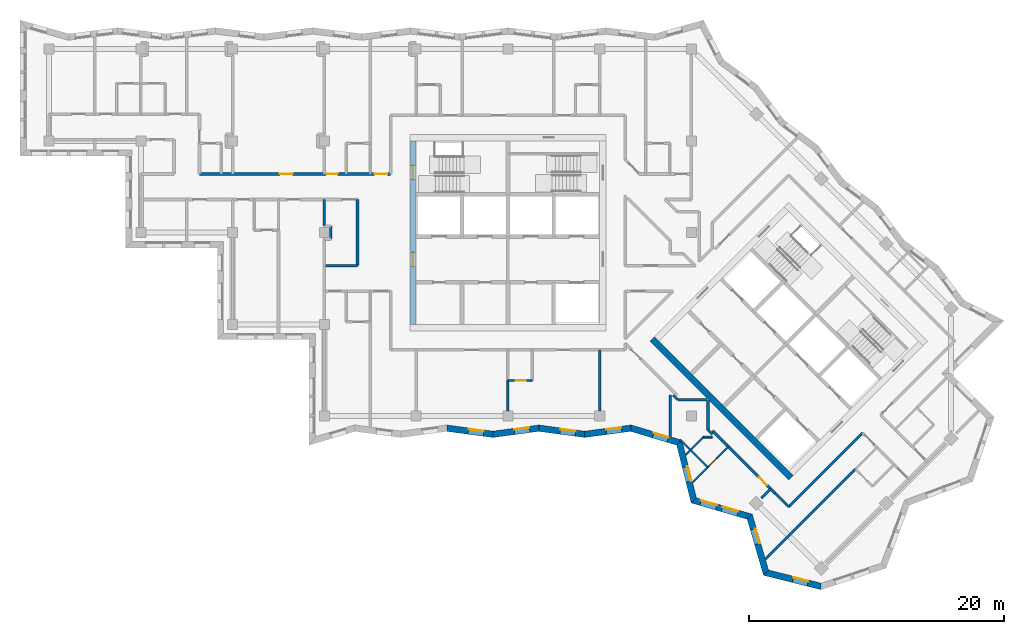
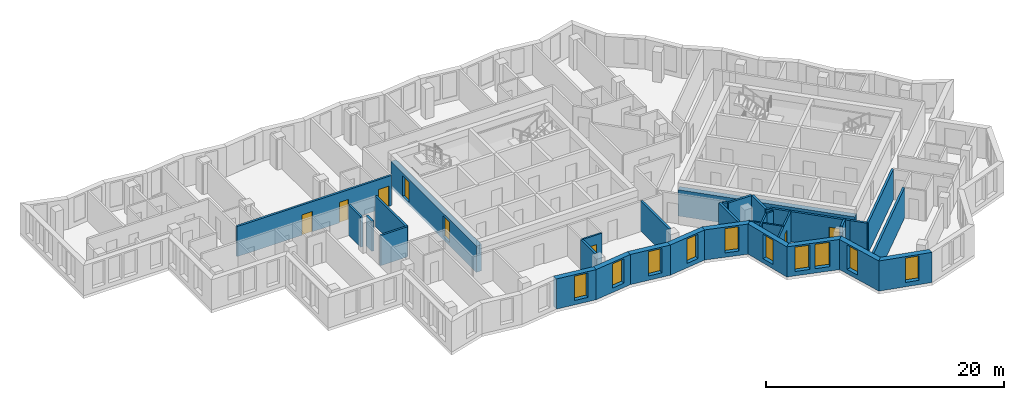
# One storey, part 3 of 12: 33 walls, 10 windows, 8 doors, 18 openings.
"""IFC4 building model written with IfcOpenShell, lengths in metres."""

from ifc_helpers import new_model, si_unit, direction, frame, frame_2d, origin, place, context, subcontext, project, spatial, polyline, rectangle, outline, extrude, material, layer, layer_set, type_object, element, fill, save


model = new_model("IFC4")

# Units and contexts
model_context = context("Model", 3, precision=1e-05, world=origin(), true_north=direction((0.0, 1.0)))
body_context = subcontext(model_context, "Body", "Model", "MODEL_VIEW")
ifc_project = project(units=[si_unit("LENGTHUNIT", "METRE"), si_unit("AREAUNIT", "SQUARE_METRE"), si_unit("VOLUMEUNIT", "CUBIC_METRE"), si_unit("PLANEANGLEUNIT", "RADIAN"), si_unit("MASSUNIT", "GRAM", prefix="KILO")], contexts=[model_context])

# Site, building, storey
site_placement = place(None, origin())
site = spatial("IfcSite", under=ifc_project, at=site_placement, CompositionType="ELEMENT")
building_placement = place(site_placement, origin())
building = spatial("IfcBuilding", under=site, at=building_placement, Name="Windrow Commons", CompositionType="ELEMENT")
storey_placement = place(building_placement, frame((0.0, 0.0, 210.0)))
storey = spatial("IfcBuildingStorey", under=building, at=storey_placement, Name="L57", CompositionType="ELEMENT", Elevation=210.0)

# Wall, opening, window
ifc_material_1 = material(Name="Brick masonry, red clay brick", Category="masonry")
ifc_layer_1 = layer(ifc_material_1, 0.5)
ifc_layer_set_1 = layer_set([ifc_layer_1], Name="Brick facade wall 500")
wall_type_1 = type_object("IfcWallType", Name="Brick facade wall 500", PredefinedType="SOLIDWALL", material=ifc_layer_set_1)
wall_1_placement = place(storey_placement, frame((60.0142, 42.2522, 0.0), z_axis=(0.0, 0.0, 1.0), x_axis=(0.991178361, -0.132534738, 0.0)))
wall_1 = element("IfcWall", 1, at=wall_1_placement, inside=storey, type_object=wall_type_1, Name="Brick facade wall L57 41", PredefinedType="SOLIDWALL", context=body_context, shape_type="SweptSolid", body=[
    extrude(outline(polyline([(0.0334, -0.25), (3.6702, -0.25), (3.6034, 0.25), (-0.0334, 0.25), (0.0334, -0.25)])), origin(), (0.0, 0.0, 1.0), 3.1),
])
opening_1_placement = place(wall_1_placement, frame((1.6999, 0.0, 0.45)))
opening_1 = element("IfcOpeningElement", 2, at=opening_1_placement, cuts=wall_1, Name="Opening W7E", PredefinedType="OPENING", context=body_context, shape_type="SweptSolid", body=[
    extrude(rectangle(XDim=1.2, YDim=2.5, at=frame_2d((0.6, 1.25))), frame((0.0, 0.26, 0.0), z_axis=(0.0, -1.0, 0.0), x_axis=(1.0, 0.0, 0.0)), (0.0, 0.0, 1.0), 0.52),
])
ifc_material_2 = material(Name="Clear float glass in anodised aluminium frame", Category="aluminium")
window_type_1 = type_object("IfcWindowType", Name="Window W7 notch 1200x2500", PartitioningType="SINGLE_PANEL", PredefinedType="WINDOW", material=ifc_material_2)
window_1_placement = place(opening_1_placement, origin())
window_1 = element("IfcWindow", 3, at=window_1_placement, inside=storey, type_object=window_type_1, Name="Window L57 41.1", OverallHeight=2.5, OverallWidth=1.2, PartitioningType="SINGLE_PANEL", PredefinedType="WINDOW", context=body_context, shape_type="SweptSolid", body=[
    extrude(rectangle(XDim=1.2, YDim=2.5, at=frame_2d((0.6, 1.25))), frame((0.0, 0.18, 0.0), z_axis=(0.0, -1.0, 0.0), x_axis=(1.0, 0.0, 0.0)), (0.0, 0.0, 1.0), 0.06),
])
fill(opening_1, window_1)

wall_2_placement = place(storey_placement, frame((63.6189, 41.7702, 0.0), z_axis=(0.0, 0.0, 1.0), x_axis=(0.9911788439, 0.1325311259, 0.0)))
wall_2 = element("IfcWall", 4, at=wall_2_placement, inside=storey, type_object=wall_type_1, Name="Brick facade wall L57 42", PredefinedType="SOLIDWALL", context=body_context, shape_type="SweptSolid", body=[
    extrude(outline(polyline([(-0.0334, -0.25), (3.6034, -0.25), (3.6702, 0.25), (0.0334, 0.25), (-0.0334, -0.25)])), origin(), (0.0, 0.0, 1.0), 3.1),
])
opening_2_placement = place(wall_2_placement, frame((1.7142, 0.0, 0.45)))
opening_2 = element("IfcOpeningElement", 5, at=opening_2_placement, cuts=wall_2, Name="Opening W7E", PredefinedType="OPENING", context=body_context, shape_type="SweptSolid", body=[
    extrude(rectangle(XDim=1.2, YDim=2.5, at=frame_2d((0.6, 1.25))), frame((0.0, 0.26, 0.0), z_axis=(0.0, -1.0, 0.0), x_axis=(1.0, 0.0, 0.0)), (0.0, 0.0, 1.0), 0.52),
])
window_2_placement = place(opening_2_placement, origin())
window_2 = element("IfcWindow", 6, at=window_2_placement, inside=storey, type_object=window_type_1, Name="Window L57 42.1", OverallHeight=2.5, OverallWidth=1.2, PartitioningType="SINGLE_PANEL", PredefinedType="WINDOW", context=body_context, shape_type="SweptSolid", body=[
    extrude(rectangle(XDim=1.2, YDim=2.5, at=frame_2d((0.6, 1.25))), frame((0.0, 0.18, 0.0), z_axis=(0.0, -1.0, 0.0), x_axis=(1.0, 0.0, 0.0)), (0.0, 0.0, 1.0), 0.06),
])
fill(opening_2, window_2)

wall_3_placement = place(storey_placement, frame((67.2237, 42.2522, 0.0), z_axis=(0.0, 0.0, 1.0), x_axis=(0.991178361, -0.132534738, 0.0)))
wall_3 = element("IfcWall", 7, at=wall_3_placement, inside=storey, type_object=wall_type_1, Name="Brick facade wall L57 43", PredefinedType="SOLIDWALL", context=body_context, shape_type="SweptSolid", body=[
    extrude(outline(polyline([(0.0334, -0.25), (3.6702, -0.25), (3.6034, 0.25), (-0.0334, 0.25), (0.0334, -0.25)])), origin(), (0.0, 0.0, 1.0), 3.1),
])
opening_3_placement = place(wall_3_placement, frame((1.6951, 0.0, 0.45)))
opening_3 = element("IfcOpeningElement", 8, at=opening_3_placement, cuts=wall_3, Name="Opening W7E", PredefinedType="OPENING", context=body_context, shape_type="SweptSolid", body=[
    extrude(rectangle(XDim=1.2, YDim=2.5, at=frame_2d((0.6, 1.25))), frame((0.0, 0.26, 0.0), z_axis=(0.0, -1.0, 0.0), x_axis=(1.0, 0.0, 0.0)), (0.0, 0.0, 1.0), 0.52),
])
window_3_placement = place(opening_3_placement, origin())
window_3 = element("IfcWindow", 9, at=window_3_placement, inside=storey, type_object=window_type_1, Name="Window L57 43.1", OverallHeight=2.5, OverallWidth=1.2, PartitioningType="SINGLE_PANEL", PredefinedType="WINDOW", context=body_context, shape_type="SweptSolid", body=[
    extrude(rectangle(XDim=1.2, YDim=2.5, at=frame_2d((0.6, 1.25))), frame((0.0, 0.18, 0.0), z_axis=(0.0, -1.0, 0.0), x_axis=(1.0, 0.0, 0.0)), (0.0, 0.0, 1.0), 0.06),
])
fill(opening_3, window_3)

wall_4_placement = place(storey_placement, frame((70.8284, 41.7702, 0.0), z_axis=(0.0, 0.0, 1.0), x_axis=(0.9911788782, 0.1325308696, 0.0)))
wall_4 = element("IfcWall", 10, at=wall_4_placement, inside=storey, type_object=wall_type_1, Name="Brick facade wall L57 44", PredefinedType="SOLIDWALL", context=body_context, shape_type="SweptSolid", body=[
    extrude(outline(polyline([(-0.0334, -0.25), (3.6034, -0.25), (3.7111, 0.25), (0.0334, 0.25), (-0.0334, -0.25)])), origin(), (0.0, 0.0, 1.0), 3.1),
])
opening_4_placement = place(wall_4_placement, frame((1.7196, 0.0, 0.45)))
opening_4 = element("IfcOpeningElement", 11, at=opening_4_placement, cuts=wall_4, Name="Opening W7E", PredefinedType="OPENING", context=body_context, shape_type="SweptSolid", body=[
    extrude(rectangle(XDim=1.2, YDim=2.5, at=frame_2d((0.6, 1.25))), frame((0.0, 0.26, 0.0), z_axis=(0.0, -1.0, 0.0), x_axis=(1.0, 0.0, 0.0)), (0.0, 0.0, 1.0), 0.52),
])
window_4_placement = place(opening_4_placement, origin())
window_4 = element("IfcWindow", 12, at=window_4_placement, inside=storey, type_object=window_type_1, Name="Window L57 44.1", OverallHeight=2.5, OverallWidth=1.2, PartitioningType="SINGLE_PANEL", PredefinedType="WINDOW", context=body_context, shape_type="SweptSolid", body=[
    extrude(rectangle(XDim=1.2, YDim=2.5, at=frame_2d((0.6, 1.25))), frame((0.0, 0.18, 0.0), z_axis=(0.0, -1.0, 0.0), x_axis=(1.0, 0.0, 0.0)), (0.0, 0.0, 1.0), 0.06),
])
fill(opening_4, window_4)

wall_5_placement = place(storey_placement, frame((74.4534, 42.2549, 0.0), z_axis=(0.0, 0.0, 1.0), x_axis=(0.9577859598, -0.2874822693, 0.0)))
wall_5 = element("IfcWall", 13, at=wall_5_placement, inside=storey, type_object=wall_type_1, Name="Brick facade wall L57 45", PredefinedType="SOLIDWALL", context=body_context, shape_type="SweptSolid", body=[
    extrude(outline(polyline([(0.0539, -0.25), (3.8175, -0.25), (4.1015, 0.25), (-0.0539, 0.25), (0.0539, -0.25)])), origin(), (0.0, 0.0, 1.0), 3.1),
])
opening_5_placement = place(wall_5_placement, frame((1.8283, 0.0, 0.45)))
opening_5 = element("IfcOpeningElement", 14, at=opening_5_placement, cuts=wall_5, Name="Opening W7E", PredefinedType="OPENING", context=body_context, shape_type="SweptSolid", body=[
    extrude(rectangle(XDim=1.2, YDim=2.5, at=frame_2d((0.6, 1.25))), frame((0.0, 0.26, 0.0), z_axis=(0.0, -1.0, 0.0), x_axis=(1.0, 0.0, 0.0)), (0.0, 0.0, 1.0), 0.52),
])
window_5_placement = place(opening_5_placement, origin())
window_5 = element("IfcWindow", 15, at=window_5_placement, inside=storey, type_object=window_type_1, Name="Window L57 45.1", OverallHeight=2.5, OverallWidth=1.2, PartitioningType="SINGLE_PANEL", PredefinedType="WINDOW", context=body_context, shape_type="SweptSolid", body=[
    extrude(rectangle(XDim=1.2, YDim=2.5, at=frame_2d((0.6, 1.25))), frame((0.0, 0.18, 0.0), z_axis=(0.0, -1.0, 0.0), x_axis=(1.0, 0.0, 0.0)), (0.0, 0.0, 1.0), 0.06),
])
fill(opening_5, window_5)

wall_6_placement = place(storey_placement, frame((78.2458, 41.1166, 0.0), z_axis=(0.0, 0.0, 1.0), x_axis=(0.2436885681, -0.9698535363, 0.0)))
wall_6 = element("IfcWall", 16, at=wall_6_placement, inside=storey, type_object=wall_type_1, Name="Brick facade wall L57 46", PredefinedType="SOLIDWALL", context=body_context, shape_type="SweptSolid", body=[
    extrude(outline(polyline([(0.142, -0.25), (4.8161, -0.25), (4.5295, 0.25), (-0.142, 0.25), (0.142, -0.25)])), origin(), (0.0, 0.0, 1.0), 3.1),
])
opening_6_placement = place(wall_6_placement, frame((1.9466, 0.0, 0.45)))
opening_6 = element("IfcOpeningElement", 17, at=opening_6_placement, cuts=wall_6, Name="Opening W7E", PredefinedType="OPENING", context=body_context, shape_type="SweptSolid", body=[
    extrude(rectangle(XDim=1.2, YDim=2.5, at=frame_2d((0.6, 1.25))), frame((0.0, 0.26, 0.0), z_axis=(0.0, -1.0, 0.0), x_axis=(1.0, 0.0, 0.0)), (0.0, 0.0, 1.0), 0.52),
])
window_6_placement = place(opening_6_placement, origin())
window_6 = element("IfcWindow", 18, at=window_6_placement, inside=storey, type_object=window_type_1, Name="Window L57 46.1", OverallHeight=2.5, OverallWidth=1.2, PartitioningType="SINGLE_PANEL", PredefinedType="WINDOW", context=body_context, shape_type="SweptSolid", body=[
    extrude(rectangle(XDim=1.2, YDim=2.5, at=frame_2d((0.6, 1.25))), frame((0.0, 0.18, 0.0), z_axis=(0.0, -1.0, 0.0), x_axis=(1.0, 0.0, 0.0)), (0.0, 0.0, 1.0), 0.06),
])
fill(opening_6, window_6)

# Wall, openings, windows
wall_7_placement = place(storey_placement, frame((79.3845, 36.5847, 0.0), z_axis=(0.0, 0.0, 1.0), x_axis=(0.960028924, -0.2799008129, 0.0)))
wall_7 = element("IfcWall", 19, at=wall_7_placement, inside=storey, type_object=wall_type_1, Name="Brick facade wall L57 47", PredefinedType="SOLIDWALL", context=body_context, shape_type="SweptSolid", body=[
    extrude(outline(polyline([(-0.1433, -0.25), (4.4313, -0.25), (4.7056, 0.25), (0.1433, 0.25), (-0.1433, -0.25)])), origin(), (0.0, 0.0, 1.0), 3.1),
])
opening_7_placement = place(wall_7_placement, frame((0.5505, 0.0, 0.45)))
opening_7 = element("IfcOpeningElement", 20, at=opening_7_placement, cuts=wall_7, Name="Opening W1Q", PredefinedType="OPENING", context=body_context, shape_type="SweptSolid", body=[
    extrude(rectangle(XDim=1.3, YDim=2.5, at=frame_2d((0.65, 1.25))), frame((0.0, 0.26, 0.0), z_axis=(0.0, -1.0, 0.0), x_axis=(1.0, 0.0, 0.0)), (0.0, 0.0, 1.0), 0.52),
])
opening_8_placement = place(wall_7_placement, frame((2.3005, 0.0, 0.45)))
opening_8 = element("IfcOpeningElement", 21, at=opening_8_placement, cuts=wall_7, Name="Opening W1Q", PredefinedType="OPENING", context=body_context, shape_type="SweptSolid", body=[
    extrude(rectangle(XDim=1.3, YDim=2.5, at=frame_2d((0.65, 1.25))), frame((0.0, 0.26, 0.0), z_axis=(0.0, -1.0, 0.0), x_axis=(1.0, 0.0, 0.0)), (0.0, 0.0, 1.0), 0.52),
])
ifc_material_3 = material(Name="Clear float glass in anodised aluminium frame", Category="aluminium")
window_type_2 = type_object("IfcWindowType", Name="Window W1Q pair 1300x2500", PartitioningType="SINGLE_PANEL", PredefinedType="WINDOW", material=ifc_material_3)
window_7_placement = place(opening_7_placement, origin())
window_7 = element("IfcWindow", 22, at=window_7_placement, inside=storey, type_object=window_type_2, Name="Window L57 47.1A", OverallHeight=2.5, OverallWidth=1.3, PartitioningType="SINGLE_PANEL", PredefinedType="WINDOW", context=body_context, shape_type="SweptSolid", body=[
    extrude(rectangle(XDim=1.3, YDim=2.5, at=frame_2d((0.65, 1.25))), frame((0.0, 0.18, 0.0), z_axis=(0.0, -1.0, 0.0), x_axis=(1.0, 0.0, 0.0)), (0.0, 0.0, 1.0), 0.06),
])
fill(opening_7, window_7)
window_8_placement = place(opening_8_placement, origin())
window_8 = element("IfcWindow", 23, at=window_8_placement, inside=storey, type_object=window_type_2, Name="Window L57 47.1B", OverallHeight=2.5, OverallWidth=1.3, PartitioningType="SINGLE_PANEL", PredefinedType="WINDOW", context=body_context, shape_type="SweptSolid", body=[
    extrude(rectangle(XDim=1.3, YDim=2.5, at=frame_2d((0.65, 1.25))), frame((0.0, 0.18, 0.0), z_axis=(0.0, -1.0, 0.0), x_axis=(1.0, 0.0, 0.0)), (0.0, 0.0, 1.0), 0.06),
])
fill(opening_8, window_8)

# Wall, opening, window
wall_8_placement = place(storey_placement, frame((83.7703, 35.306, 0.0), z_axis=(0.0, 0.0, 1.0), x_axis=(0.2799008129, -0.960028924, 0.0)))
wall_8 = element("IfcWall", 24, at=wall_8_placement, inside=storey, type_object=wall_type_1, Name="Brick facade wall L57 48", PredefinedType="SOLIDWALL", context=body_context, shape_type="SweptSolid", body=[
    extrude(outline(polyline([(0.1371, -0.25), (4.7117, -0.25), (4.4251, 0.25), (-0.1371, 0.25), (0.1371, -0.25)])), origin(), (0.0, 0.0, 1.0), 3.1),
])
opening_9_placement = place(wall_8_placement, frame((1.0135, 0.0, 0.45)))
opening_9 = element("IfcOpeningElement", 25, at=opening_9_placement, cuts=wall_8, Name="Opening W7E", PredefinedType="OPENING", context=body_context, shape_type="SweptSolid", body=[
    extrude(rectangle(XDim=1.2, YDim=2.5, at=frame_2d((0.6, 1.25))), frame((0.0, 0.26, 0.0), z_axis=(0.0, -1.0, 0.0), x_axis=(1.0, 0.0, 0.0)), (0.0, 0.0, 1.0), 0.52),
])
window_9_placement = place(opening_9_placement, origin())
window_9 = element("IfcWindow", 26, at=window_9_placement, inside=storey, type_object=window_type_1, Name="Window L57 48.1", OverallHeight=2.5, OverallWidth=1.2, PartitioningType="SINGLE_PANEL", PredefinedType="WINDOW", context=body_context, shape_type="SweptSolid", body=[
    extrude(rectangle(XDim=1.2, YDim=2.5, at=frame_2d((0.6, 1.25))), frame((0.0, 0.18, 0.0), z_axis=(0.0, -1.0, 0.0), x_axis=(1.0, 0.0, 0.0)), (0.0, 0.0, 1.0), 0.06),
])
fill(opening_9, window_9)

wall_9_placement = place(storey_placement, frame((85.049, 30.9202, 0.0), z_axis=(0.0, 0.0, 1.0), x_axis=(0.9698501821, -0.2437019169, 0.0)))
wall_9 = element("IfcWall", 27, at=wall_9_placement, inside=storey, type_object=wall_type_1, Name="Brick facade wall L57 49", PredefinedType="SOLIDWALL", context=body_context, shape_type="SweptSolid", body=[
    extrude(outline(polyline([(-0.1433, -0.25), (4.5308, -0.25), (4.3849, 0.25), (0.1433, 0.25), (-0.1433, -0.25)])), origin(), (0.0, 0.0, 1.0), 3.1),
])
opening_10_placement = place(wall_9_placement, frame((2.1889, 0.0, 0.45)))
opening_10 = element("IfcOpeningElement", 28, at=opening_10_placement, cuts=wall_9, Name="Opening W7E", PredefinedType="OPENING", context=body_context, shape_type="SweptSolid", body=[
    extrude(rectangle(XDim=1.2, YDim=2.5, at=frame_2d((0.6, 1.25))), frame((0.0, 0.26, 0.0), z_axis=(0.0, -1.0, 0.0), x_axis=(1.0, 0.0, 0.0)), (0.0, 0.0, 1.0), 0.52),
])
window_10_placement = place(opening_10_placement, origin())
window_10 = element("IfcWindow", 29, at=window_10_placement, inside=storey, type_object=window_type_1, Name="Window L57 49.1", OverallHeight=2.5, OverallWidth=1.2, PartitioningType="SINGLE_PANEL", PredefinedType="WINDOW", context=body_context, shape_type="SweptSolid", body=[
    extrude(rectangle(XDim=1.2, YDim=2.5, at=frame_2d((0.6, 1.25))), frame((0.0, 0.18, 0.0), z_axis=(0.0, -1.0, 0.0), x_axis=(1.0, 0.0, 0.0)), (0.0, 0.0, 1.0), 0.06),
])
fill(opening_10, window_10)

# Wall, openings, doors
ifc_material_4 = material(Name="Blockwork partition", Category="masonry")
ifc_layer_2 = layer(ifc_material_4, 0.2)
ifc_layer_set_2 = layer_set([ifc_layer_2], Name="IW-CORRIDOR-200")
wall_type_2 = type_object("IfcWallType", Name="IW-CORRIDOR-200", PredefinedType="PARTITIONING", material=ifc_layer_set_2)
wall_10_placement = place(storey_placement, frame((40.602, 62.2, 0.0), z_axis=(0.0, 0.0, 1.0), x_axis=(1.0, 0.0, 0.0)))
wall_10 = element("IfcWall", 30, at=wall_10_placement, inside=storey, type_object=wall_type_2, Name="W-L57-W003", PredefinedType="PARTITIONING", context=body_context, shape_type="SweptSolid", body=[
    extrude(rectangle(XDim=14.998, YDim=0.2, at=frame_2d((7.499, 0.0))), origin(), (0.0, 0.0, 1.0), 3.1),
])
opening_11_placement = place(wall_10_placement, frame((6.308, 0.0, 0.0)))
opening_11 = element("IfcOpeningElement", 31, at=opening_11_placement, cuts=wall_10, Name="Opening D310F", PredefinedType="OPENING", context=body_context, shape_type="SweptSolid", body=[
    extrude(rectangle(XDim=1.0, YDim=2.1, at=frame_2d((0.5, 1.05))), frame((0.0, 0.11, 0.0), z_axis=(0.0, -1.0, 0.0), x_axis=(1.0, 0.0, 0.0)), (0.0, 0.0, 1.0), 0.22),
])
opening_12_placement = place(wall_10_placement, frame((9.928, 0.0, 0.0)))
opening_12 = element("IfcOpeningElement", 32, at=opening_12_placement, cuts=wall_10, Name="Opening D109S", PredefinedType="OPENING", context=body_context, shape_type="SweptSolid", body=[
    extrude(rectangle(XDim=0.9, YDim=2.1, at=frame_2d((0.45, 1.05))), frame((0.0, 0.11, 0.0), z_axis=(0.0, -1.0, 0.0), x_axis=(1.0, 0.0, 0.0)), (0.0, 0.0, 1.0), 0.22),
])
opening_13_placement = place(wall_10_placement, frame((13.7456, 0.0, 0.0)))
opening_13 = element("IfcOpeningElement", 33, at=opening_13_placement, cuts=wall_10, Name="Opening D310F", PredefinedType="OPENING", context=body_context, shape_type="SweptSolid", body=[
    extrude(rectangle(XDim=1.0, YDim=2.1, at=frame_2d((0.5, 1.05))), frame((0.0, 0.11, 0.0), z_axis=(0.0, -1.0, 0.0), x_axis=(1.0, 0.0, 0.0)), (0.0, 0.0, 1.0), 0.22),
])
ifc_material_5 = material(Name="Timber door leaf", Category="wood")
door_type_1 = type_object("IfcDoorType", Name="DT-AMENITY-1000", OperationType="SINGLE_SWING_LEFT", PredefinedType="DOOR", material=ifc_material_5)
door_1_placement = place(opening_11_placement, origin())
door_1 = element("IfcDoor", 34, at=door_1_placement, inside=storey, type_object=door_type_1, Name="D-L57-D018", OperationType="SINGLE_SWING_RIGHT", OverallHeight=2.1, OverallWidth=1.0, PredefinedType="DOOR", context=body_context, shape_type="SweptSolid", body=[
    extrude(rectangle(XDim=1.0, YDim=2.1, at=frame_2d((0.5, 1.05))), frame((0.0, 0.025, 0.0), z_axis=(0.0, -1.0, 0.0), x_axis=(1.0, 0.0, 0.0)), (0.0, 0.0, 1.0), 0.05),
])
fill(opening_11, door_1)
door_2_placement = place(opening_13_placement, origin())
door_2 = element("IfcDoor", 35, at=door_2_placement, inside=storey, type_object=door_type_1, Name="D-L57-D021", OperationType="SINGLE_SWING_LEFT", OverallHeight=2.1, OverallWidth=1.0, PredefinedType="DOOR", context=body_context, shape_type="SweptSolid", body=[
    extrude(rectangle(XDim=1.0, YDim=2.1, at=frame_2d((0.5, 1.05))), frame((0.0, 0.025, 0.0), z_axis=(0.0, -1.0, 0.0), x_axis=(1.0, 0.0, 0.0)), (0.0, 0.0, 1.0), 0.05),
])
fill(opening_13, door_2)
ifc_material_6 = material(Name="Timber door leaf", Category="wood")
door_type_2 = type_object("IfcDoorType", Name="DT-BEDROOM-900", OperationType="SINGLE_SWING_LEFT", PredefinedType="DOOR", material=ifc_material_6)
door_3_placement = place(opening_12_placement, origin())
door_3 = element("IfcDoor", 36, at=door_3_placement, inside=storey, type_object=door_type_2, Name="D-L57-D019", OperationType="SINGLE_SWING_RIGHT", OverallHeight=2.1, OverallWidth=0.9, PredefinedType="DOOR", context=body_context, shape_type="SweptSolid", body=[
    extrude(rectangle(XDim=0.9, YDim=2.1, at=frame_2d((0.45, 1.05))), frame((0.0, 0.025, 0.0), z_axis=(0.0, -1.0, 0.0), x_axis=(1.0, 0.0, 0.0)), (0.0, 0.0, 1.0), 0.05),
])
fill(opening_12, door_3)

# Wall
wall_11_placement = place(storey_placement, frame((86.8351, 36.0789, 0.0), z_axis=(0.0, 0.0, 1.0), x_axis=(0.7071067812, 0.7071067812, 0.0)))
element("IfcWall", 37, at=wall_11_placement, inside=storey, type_object=wall_type_2, Name="W-L57-W010", PredefinedType="PARTITIONING", context=body_context, shape_type="SweptSolid", body=[
    extrude(rectangle(XDim=8.1996, YDim=0.2, at=frame_2d((4.0998, 0.0))), origin(), (0.0, 0.0, 1.0), 3.1),
])

# Wall, opening, door
wall_12_placement = place(storey_placement, frame((80.8487, 42.0607, 0.0), z_axis=(0.0, 0.0, 1.0), x_axis=(0.7071067812, -0.7071067812, 0.0)))
wall_12 = element("IfcWall", 38, at=wall_12_placement, inside=storey, type_object=wall_type_2, Name="W-L57-W015", PredefinedType="PARTITIONING", context=body_context, shape_type="SweptSolid", body=[
    extrude(rectangle(XDim=6.9636, YDim=0.2, at=frame_2d((3.4818, 0.0))), origin(), (0.0, 0.0, 1.0), 3.1),
])
opening_14_placement = place(wall_12_placement, frame((5.1589, 0.0, 0.0)))
opening_14 = element("IfcOpeningElement", 39, at=opening_14_placement, cuts=wall_12, Name="Opening D109S", PredefinedType="OPENING", context=body_context, shape_type="SweptSolid", body=[
    extrude(rectangle(XDim=0.9, YDim=2.1, at=frame_2d((0.45, 1.05))), frame((0.0, 0.11, 0.0), z_axis=(0.0, -1.0, 0.0), x_axis=(1.0, 0.0, 0.0)), (0.0, 0.0, 1.0), 0.22),
])
door_4_placement = place(opening_14_placement, origin())
door_4 = element("IfcDoor", 40, at=door_4_placement, inside=storey, type_object=door_type_2, Name="D-L57-D039", OperationType="SINGLE_SWING_RIGHT", OverallHeight=2.1, OverallWidth=0.9, PredefinedType="DOOR", context=body_context, shape_type="SweptSolid", body=[
    extrude(rectangle(XDim=0.9, YDim=2.1, at=frame_2d((0.45, 1.05))), frame((0.0, 0.025, 0.0), z_axis=(0.0, -1.0, 0.0), x_axis=(1.0, 0.0, 0.0)), (0.0, 0.0, 1.0), 0.05),
])
fill(opening_14, door_4)

# Walls
wall_13_placement = place(storey_placement, frame((53.0, 55.002, 0.0), z_axis=(0.0, 0.0, 1.0), x_axis=(0.0, 1.0, 0.0)))
element("IfcWall", 41, at=wall_13_placement, inside=storey, type_object=wall_type_2, Name="W-L57-W035", PredefinedType="PARTITIONING", context=body_context, shape_type="SweptSolid", body=[
    extrude(rectangle(XDim=5.198, YDim=0.2, at=frame_2d((2.599, 0.0))), origin(), (0.0, 0.0, 1.0), 3.1),
])
wall_14_placement = place(storey_placement, frame((50.4, 55.0, 0.0), z_axis=(0.0, 0.0, 1.0), x_axis=(1.0, 0.0, 0.0)))
element("IfcWall", 42, at=wall_14_placement, inside=storey, type_object=wall_type_2, Name="W-L57-W056", PredefinedType="PARTITIONING", context=body_context, shape_type="SweptSolid", body=[
    extrude(rectangle(XDim=2.6, YDim=0.2, at=frame_2d((1.3, 0.0))), origin(), (0.0, 0.0, 1.0), 3.1),
])
for number, where, z_axis, x_axis, name in (
    (43, (78.132, 44.5, 0.0), (0.0, 0.0, 1.0), (1.0, 0.0, 0.0), "W-L57-W086"),
    (44, (80.5, 42.132, 0.0), (0.0, 0.0, 1.0), (0.0, 1.0, 0.0), "W-L57-W087"),
):
    element("IfcWall", number, at=place(storey_placement, frame(where, z_axis=z_axis, x_axis=x_axis)), inside=storey, type_object=wall_type_2, Name=name, PredefinedType="PARTITIONING", context=body_context, shape_type="SweptSolid", body=[
        extrude(rectangle(XDim=2.292, YDim=0.2, at=frame_2d((1.146, 0.0))), origin(), (0.0, 0.0, 1.0), 3.1),
    ])
wall_15_placement = place(storey_placement, frame((85.778, 37.142, 0.0), z_axis=(0.0, 0.0, 1.0), x_axis=(0.7064400143, -0.70777292, 0.0)))
element("IfcWall", 45, at=wall_15_placement, inside=storey, type_object=wall_type_2, Name="W-L57-W121", PredefinedType="PARTITIONING", context=body_context, shape_type="SweptSolid", body=[
    extrude(rectangle(XDim=1.5005, YDim=0.2, at=frame_2d((0.7502, 0.0))), origin(), (0.0, 0.0, 1.0), 3.1),
])
for number, where, z_axis, x_axis, name in (
    (46, (77.7792, 44.8472, 0.0), (0.0, 0.0, 1.0), (0.7071067812, -0.7071067812, 0.0), "W-L57-W155"),
    (47, (80.4972, 42.1292, 0.0), (0.0, 0.0, 1.0), (0.7071067812, -0.7071067812, 0.0), "W-L57-W156"),
):
    element("IfcWall", number, at=place(storey_placement, frame(where, z_axis=z_axis, x_axis=x_axis)), inside=storey, type_object=wall_type_2, Name=name, PredefinedType="PARTITIONING", context=body_context, shape_type="SweptSolid", body=[
        extrude(rectangle(XDim=0.495, YDim=0.2, at=frame_2d((0.2475, 0.0))), origin(), (0.0, 0.0, 1.0), 3.1),
    ])

# Wall, opening, door
ifc_material_7 = material(Name="Blockwork partition", Category="masonry")
ifc_layer_3 = layer(ifc_material_7, 0.15)
ifc_layer_set_3 = layer_set([ifc_layer_3], Name="IW-ENSUITE-150")
wall_type_3 = type_object("IfcWallType", Name="IW-ENSUITE-150", PredefinedType="PARTITIONING", material=ifc_layer_set_3)
wall_16_placement = place(storey_placement, frame((79.2855, 38.0046, 0.0), z_axis=(0.0, 0.0, 1.0), x_axis=(0.7070942078, 0.7071193543, 0.0)))
wall_16 = element("IfcWall", 48, at=wall_16_placement, inside=storey, type_object=wall_type_3, Name="W-L57-W043", PredefinedType="PARTITIONING", context=body_context, shape_type="SweptSolid", body=[
    extrude(rectangle(XDim=3.9767, YDim=0.15, at=frame_2d((1.9884, 0.0))), origin(), (0.0, 0.0, 1.0), 3.1),
])
opening_15_placement = place(wall_16_placement, frame((1.8362, 0.0, 0.0)))
opening_15 = element("IfcOpeningElement", 49, at=opening_15_placement, cuts=wall_16, Name="Opening D208N", PredefinedType="OPENING", context=body_context, shape_type="SweptSolid", body=[
    extrude(rectangle(XDim=0.8, YDim=2.1, at=frame_2d((0.4, 1.05))), frame((0.0, 0.085, 0.0), z_axis=(0.0, -1.0, 0.0), x_axis=(1.0, 0.0, 0.0)), (0.0, 0.0, 1.0), 0.17),
])
ifc_material_8 = material(Name="Timber door leaf", Category="wood")
door_type_3 = type_object("IfcDoorType", Name="DT-ENSUITE-800", OperationType="SINGLE_SWING_LEFT", PredefinedType="DOOR", material=ifc_material_8)
door_5_placement = place(opening_15_placement, origin())
door_5 = element("IfcDoor", 50, at=door_5_placement, inside=storey, type_object=door_type_3, Name="D-L57-D040", OperationType="SINGLE_SWING_RIGHT", OverallHeight=2.1, OverallWidth=0.8, PredefinedType="DOOR", context=body_context, shape_type="SweptSolid", body=[
    extrude(rectangle(XDim=0.8, YDim=2.1, at=frame_2d((0.4, 1.05))), frame((0.0, 0.025, 0.0), z_axis=(0.0, -1.0, 0.0), x_axis=(1.0, 0.0, 0.0)), (0.0, 0.0, 1.0), 0.05),
])
fill(opening_15, door_5)

# Walls
wall_17_placement = place(storey_placement, frame((78.3171, 41.3544, 0.0), z_axis=(0.0, 0.0, 1.0), x_axis=(0.7065991024, -0.7076140958, 0.0)))
element("IfcWall", 51, at=wall_17_placement, inside=storey, type_object=wall_type_3, Name="W-L57-W052", PredefinedType="PARTITIONING", context=body_context, shape_type="SweptSolid", body=[
    extrude(rectangle(XDim=3.0542, YDim=0.15, at=frame_2d((1.5271, 0.0))), origin(), (0.0, 0.0, 1.0), 3.1),
])
wall_18_placement = place(storey_placement, frame((78.7459, 40.152, 0.0), z_axis=(0.0, 0.0, 1.0), x_axis=(0.7070815098, 0.7071320517, 0.0)))
element("IfcWall", 52, at=wall_18_placement, inside=storey, type_object=wall_type_3, Name="W-L57-W105", PredefinedType="PARTITIONING", context=body_context, shape_type="SweptSolid", body=[
    extrude(rectangle(XDim=1.9786, YDim=0.15, at=frame_2d((0.9893, 0.0))), origin(), (0.0, 0.0, 1.0), 3.1),
])

# Wall, opening, door
wall_19_placement = place(storey_placement, frame((64.8, 46.0, 0.0), z_axis=(0.0, 0.0, 1.0), x_axis=(1.0, 0.0, 0.0)))
wall_19 = element("IfcWall", 53, at=wall_19_placement, inside=storey, type_object=wall_type_3, Name="W-L57-W109", PredefinedType="PARTITIONING", context=body_context, shape_type="SweptSolid", body=[
    extrude(rectangle(XDim=1.9, YDim=0.15, at=frame_2d((0.95, 0.0))), origin(), (0.0, 0.0, 1.0), 3.1),
])
opening_16_placement = place(wall_19_placement, frame((0.6069, 0.0, 0.0)))
opening_16 = element("IfcOpeningElement", 54, at=opening_16_placement, cuts=wall_19, Name="Opening D208N", PredefinedType="OPENING", context=body_context, shape_type="SweptSolid", body=[
    extrude(rectangle(XDim=0.8, YDim=2.1, at=frame_2d((0.4, 1.05))), frame((0.0, 0.085, 0.0), z_axis=(0.0, -1.0, 0.0), x_axis=(1.0, 0.0, 0.0)), (0.0, 0.0, 1.0), 0.17),
])
door_6_placement = place(opening_16_placement, origin())
door_6 = element("IfcDoor", 55, at=door_6_placement, inside=storey, type_object=door_type_3, Name="D-L57-D032", OperationType="SINGLE_SWING_RIGHT", OverallHeight=2.1, OverallWidth=0.8, PredefinedType="DOOR", context=body_context, shape_type="SweptSolid", body=[
    extrude(rectangle(XDim=0.8, YDim=2.1, at=frame_2d((0.4, 1.05))), frame((0.0, 0.025, 0.0), z_axis=(0.0, -1.0, 0.0), x_axis=(1.0, 0.0, 0.0)), (0.0, 0.0, 1.0), 0.05),
])
fill(opening_16, door_6)

# Walls
wall_20_placement = place(storey_placement, frame((80.146, 41.55, 0.0), z_axis=(0.0, 0.0, 1.0), x_axis=(1.0, 0.0, 0.0)))
element("IfcWall", 56, at=wall_20_placement, inside=storey, type_object=wall_type_3, Name="W-L57-W137", PredefinedType="PARTITIONING", context=body_context, shape_type="SweptSolid", body=[
    extrude(rectangle(XDim=0.702, YDim=0.15, at=frame_2d((0.351, 0.0))), origin(), (0.0, 0.0, 1.0), 3.1),
])
ifc_material_9 = material(Name="Blockwork partition", Category="masonry")
ifc_layer_4 = layer(ifc_material_9, 0.2)
ifc_layer_set_4 = layer_set([ifc_layer_4], Name="IW-PARTY-200")
wall_type_4 = type_object("IfcWallType", Name="IW-PARTY-200", PredefinedType="PARTITIONING", material=ifc_layer_set_4)
wall_21_placement = place(storey_placement, frame((85.0016, 31.9762, 0.0), z_axis=(0.0, 0.0, 1.0), x_axis=(0.7072267874, 0.7069867546, 0.0)))
element("IfcWall", 57, at=wall_21_placement, inside=storey, type_object=wall_type_4, Name="W-L57-W005", PredefinedType="PARTITIONING", context=body_context, shape_type="SweptSolid", body=[
    extrude(rectangle(XDim=9.9986, YDim=0.2, at=frame_2d((4.9993, 0.0))), origin(), (0.0, 0.0, 1.0), 3.1),
])
wall_22_placement = place(storey_placement, frame((72.0, 43.6, 0.0), z_axis=(0.0, 0.0, 1.0), x_axis=(0.0, 1.0, 0.0)))
element("IfcWall", 58, at=wall_22_placement, inside=storey, type_object=wall_type_4, Name="W-L57-W037", PredefinedType="PARTITIONING", context=body_context, shape_type="SweptSolid", body=[
    extrude(rectangle(XDim=4.8, YDim=0.2, at=frame_2d((2.4, 0.0))), origin(), (0.0, 0.0, 1.0), 3.1),
])
wall_23_placement = place(storey_placement, frame((77.55, 41.5865, 0.0), z_axis=(0.0, 0.0, 1.0), x_axis=(0.0, 1.0, 0.0)))
element("IfcWall", 59, at=wall_23_placement, inside=storey, type_object=wall_type_4, Name="W-L57-W051", PredefinedType="PARTITIONING", context=body_context, shape_type="SweptSolid", body=[
    extrude(rectangle(XDim=3.2635, YDim=0.2, at=frame_2d((1.6318, 0.0))), origin(), (0.0, 0.0, 1.0), 3.1),
])
wall_24_placement = place(storey_placement, frame((64.8, 43.6, 0.0), z_axis=(0.0, 0.0, 1.0), x_axis=(0.0, 1.0, 0.0)))
element("IfcWall", 60, at=wall_24_placement, inside=storey, type_object=wall_type_4, Name="W-L57-W070", PredefinedType="PARTITIONING", context=body_context, shape_type="SweptSolid", body=[
    extrude(rectangle(XDim=2.4, YDim=0.2, at=frame_2d((1.2, 0.0))), origin(), (0.0, 0.0, 1.0), 3.1),
])
wall_25_placement = place(storey_placement, frame((50.4, 58.106, 0.0), z_axis=(0.0, 0.0, 1.0), x_axis=(0.0, 1.0, 0.0)))
element("IfcWall", 61, at=wall_25_placement, inside=storey, type_object=wall_type_4, Name="W-L57-W097", PredefinedType="PARTITIONING", context=body_context, shape_type="SweptSolid", body=[
    extrude(rectangle(XDim=2.094, YDim=0.2, at=frame_2d((1.047, 0.0))), origin(), (0.0, 0.0, 1.0), 3.1),
])
wall_26_placement = place(storey_placement, frame((84.6927, 36.7614, 0.0), z_axis=(0.0, 0.0, 1.0), x_axis=(0.7061388061, 0.708073433, 0.0)))
element("IfcWall", 62, at=wall_26_placement, inside=storey, type_object=wall_type_4, Name="W-L57-W125", PredefinedType="PARTITIONING", context=body_context, shape_type="SweptSolid", body=[
    extrude(rectangle(XDim=1.0338, YDim=0.2, at=frame_2d((0.5169, 0.0))), origin(), (0.0, 0.0, 1.0), 3.1),
])
wall_27_placement = place(storey_placement, frame((50.9, 57.096, 0.0), z_axis=(0.0, 0.0, 1.0), x_axis=(0.0, 1.0, 0.0)))
element("IfcWall", 63, at=wall_27_placement, inside=storey, type_object=wall_type_4, Name="W-L57-W128", PredefinedType="PARTITIONING", context=body_context, shape_type="SweptSolid", body=[
    extrude(rectangle(XDim=1.01, YDim=0.2, at=frame_2d((0.505, 0.0))), origin(), (0.0, 0.0, 1.0), 3.1),
])

# Wall, openings, doors
ifc_material_10 = material(Name="Concrete C40/50", Category="concrete")
ifc_layer_5 = layer(ifc_material_10, 0.5)
ifc_layer_set_5 = layer_set([ifc_layer_5], Name="RC CORE WALL 500 C40/50")
wall_type_5 = type_object("IfcWallType", Name="RC CORE WALL 500 C40/50", PredefinedType="SHEAR", material=ifc_layer_set_5)
wall_28_placement = place(storey_placement, frame((57.35, 50.4, -0.3), z_axis=(0.0, 0.0, 1.0), x_axis=(0.0, 1.0, 0.0)))
wall_28 = element("IfcWall", 64, at=wall_28_placement, inside=storey, type_object=wall_type_5, Name="Core A wall outer-W", PredefinedType="SHEAR", context=body_context, shape_type="SweptSolid", body=[
    extrude(rectangle(XDim=14.4, YDim=0.5, at=frame_2d((7.2, 0.0))), origin(), (0.0, 0.0, 1.0), 2.7),
])
opening_17_placement = place(wall_28_placement, frame((4.55, 0.0, 0.3)))
opening_17 = element("IfcOpeningElement", 65, at=opening_17_placement, cuts=wall_28, Name="Opening D6", PredefinedType="OPENING", context=body_context, shape_type="SweptSolid", body=[
    extrude(rectangle(XDim=1.1, YDim=2.1, at=frame_2d((0.55, 1.05))), frame((0.0, 0.26, 0.0), z_axis=(0.0, -1.0, 0.0), x_axis=(1.0, 0.0, 0.0)), (0.0, 0.0, 1.0), 0.52),
])
opening_18_placement = place(wall_28_placement, frame((11.35, 0.0, 0.3)))
opening_18 = element("IfcOpeningElement", 66, at=opening_18_placement, cuts=wall_28, Name="Opening D7", PredefinedType="OPENING", context=body_context, shape_type="SweptSolid", body=[
    extrude(rectangle(XDim=1.1, YDim=2.1, at=frame_2d((0.55, 1.05))), frame((0.0, 0.26, 0.0), z_axis=(0.0, -1.0, 0.0), x_axis=(1.0, 0.0, 0.0)), (0.0, 0.0, 1.0), 0.52),
])
ifc_material_11 = material(Name="Steel fire door leaf", Category="steel")
door_type_4 = type_object("IfcDoorType", Name="Core lobby door 1100", OperationType="SINGLE_SWING_LEFT", PredefinedType="DOOR", material=ifc_material_11)
door_7_placement = place(opening_17_placement, origin())
door_7 = element("IfcDoor", 67, at=door_7_placement, inside=storey, type_object=door_type_4, Name="Lift lobby door", OperationType="DOUBLE_DOOR_SINGLE_SWING", OverallHeight=2.1, OverallWidth=1.1, PredefinedType="DOOR", context=body_context, shape_type="SweptSolid", body=[
    extrude(rectangle(XDim=1.1, YDim=2.1, at=frame_2d((0.55, 1.05))), frame((0.0, 0.025, 0.0), z_axis=(0.0, -1.0, 0.0), x_axis=(1.0, 0.0, 0.0)), (0.0, 0.0, 1.0), 0.05),
])
fill(opening_17, door_7)
ifc_material_12 = material(Name="Steel fire door leaf", Category="steel")
door_type_5 = type_object("IfcDoorType", Name="Stair door 1100", OperationType="SINGLE_SWING_LEFT", PredefinedType="DOOR", material=ifc_material_12)
door_8_placement = place(opening_18_placement, origin())
door_8 = element("IfcDoor", 68, at=door_8_placement, inside=storey, type_object=door_type_5, Name="Stair door", OperationType="SINGLE_SWING_LEFT", OverallHeight=2.1, OverallWidth=1.1, PredefinedType="DOOR", context=body_context, shape_type="SweptSolid", body=[
    extrude(rectangle(XDim=1.1, YDim=2.1, at=frame_2d((0.55, 1.05))), frame((0.0, 0.025, 0.0), z_axis=(0.0, -1.0, 0.0), x_axis=(1.0, 0.0, 0.0)), (0.0, 0.0, 1.0), 0.05),
])
fill(opening_18, door_8)

# Wall
wall_29_placement = place(storey_placement, frame((76.1241, 49.2665, -0.3), z_axis=(0.0, 0.0, 1.0), x_axis=(0.7071067812, -0.7071067812, 0.0)))
element("IfcWall", 69, at=wall_29_placement, inside=storey, type_object=wall_type_5, Name="Core B wall outer-S", PredefinedType="SHEAR", context=body_context, shape_type="SweptSolid", body=[
    extrude(rectangle(XDim=15.3999, YDim=0.5, at=frame_2d((7.7, 0.0))), origin(), (0.0, 0.0, 1.0), 2.7),
])

save(model, "model.ifc")
